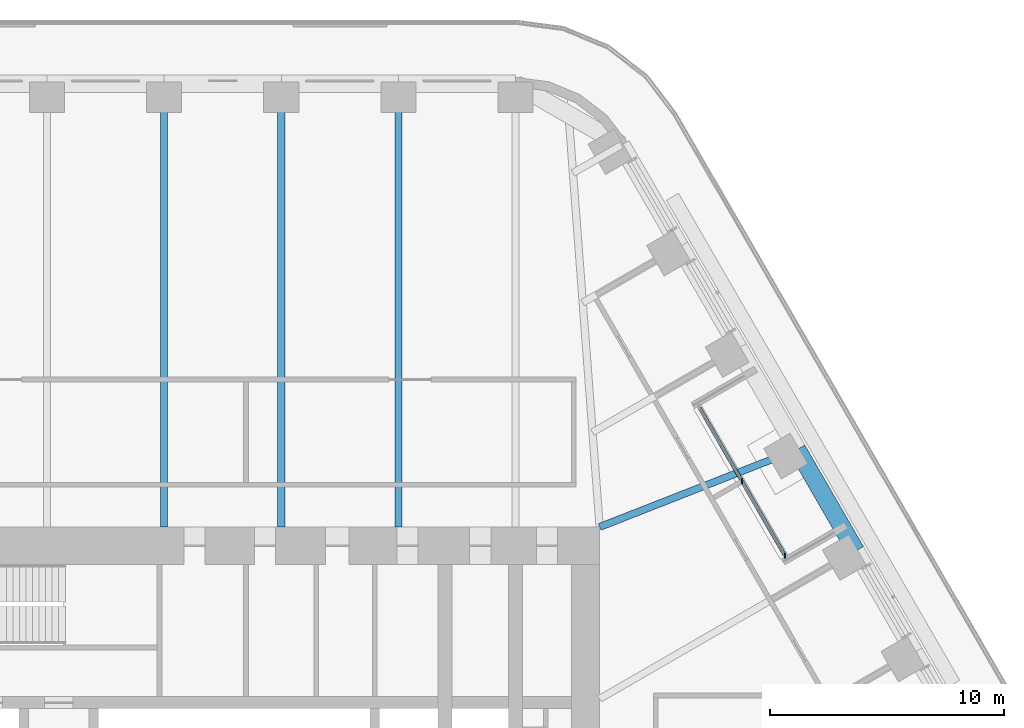
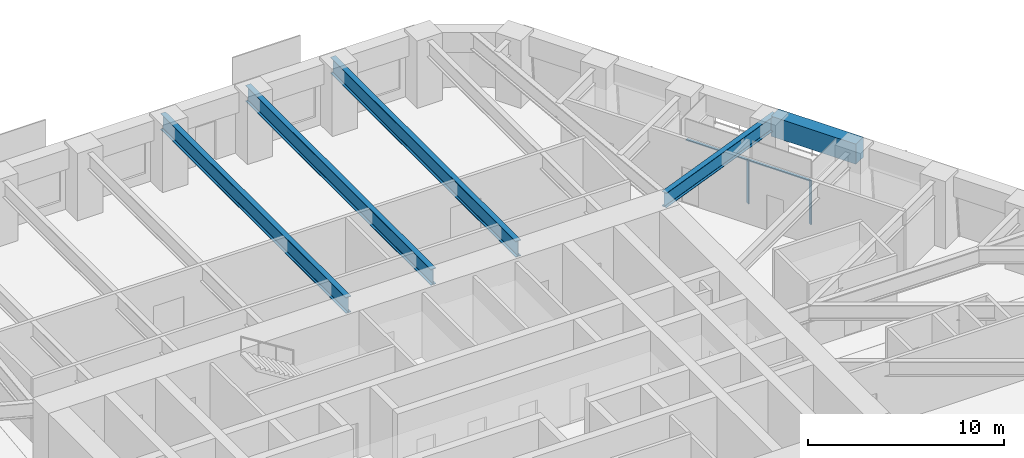
# One storey, part 11 of 24: 5 beams, 3 members, 1 element without a shape of its own.
"""IFC4 building model written with IfcOpenShell, lengths in metres."""

import ifcopenshell
import ifcopenshell.guid

model = None  # the IFC model being written
_history = None  # IfcOwnerHistory: only IFC2X3 demands one
_inside = {}  # id of a spatial element -> (the spatial element, [elements in it])
_under = {}  # id of a project, library or spatial element -> (it, [spatial elements below it])
_declared = {}  # id of a project -> (the project, [libraries it declares])
_typed = {}  # id of a type object -> (the type object, [elements of that type])
_made_of = {}  # id of a material, layer set ... -> (it, [elements and type objects made of it])


def new_model(schema):
    """Start an empty IFC model of exactly this schema.

    Asked for "IFC4X3", IfcOpenShell would pick the latest addendum, in which some entities
    have other attributes; the version numbers below select the first issue.
    IFC2X3 requires an IfcOwnerHistory on every rooted entity: one is made here for all.
    """
    global model, _history
    if schema == "IFC4X3":
        model = ifcopenshell.file(schema_version=(4, 3, 0, 0))
    else:
        model = ifcopenshell.file(schema=schema)
    _inside.clear()
    _under.clear()
    _declared.clear()
    _typed.clear()
    _made_of.clear()
    _history = None
    if model.schema == "IFC2X3":
        org = make("IfcOrganization", Name="unknown")
        user = make(
            "IfcPersonAndOrganization",
            ThePerson=make("IfcPerson", FamilyName="unknown"),
            TheOrganization=org,
        )
        app = make(
            "IfcApplication",
            ApplicationDeveloper=org,
            Version="unknown",
            ApplicationFullName="unknown",
            ApplicationIdentifier="unknown",
        )
        _history = make(
            "IfcOwnerHistory",
            OwningUser=user,
            OwningApplication=app,
            ChangeAction="ADDED",
            CreationDate=0,
        )
    return model


def make(cls, **values):
    """One entity of the class cls with the attributes given. An attribute that is None is left unset."""
    return model.create_entity(
        cls, **{name: value for name, value in values.items() if value is not None}
    )


def rooted(cls, **values):
    """An entity with a GlobalId (a new one), such as an element, a storey or a relation."""
    return make(cls, GlobalId=ifcopenshell.guid.new(), OwnerHistory=_history, **values)


def si_unit(unit_type, name, prefix=None):
    """IfcSIUnit, for example si_unit("LENGTHUNIT", "METRE", prefix="MILLI")."""
    return make("IfcSIUnit", UnitType=unit_type, Prefix=prefix, Name=name)


def assignment(units):
    """IfcUnitAssignment: the units of a project."""
    return None if units is None else make("IfcUnitAssignment", Units=units)


def point(xyz):
    """IfcCartesianPoint."""
    return None if xyz is None else make("IfcCartesianPoint", Coordinates=xyz)


def direction(xyz):
    """IfcDirection."""
    return None if xyz is None else make("IfcDirection", DirectionRatios=xyz)


def frame(location, z_axis=None, x_axis=None):
    """IfcAxis2Placement3D, a coordinate frame: its origin and axes. An axis left out is left unset."""
    return make(
        "IfcAxis2Placement3D",
        Location=point(location),
        Axis=direction(z_axis),
        RefDirection=direction(x_axis),
    )


def frame_2d(location, x_axis=None):
    """IfcAxis2Placement2D, a coordinate frame in the plane: its origin and x axis."""
    return make(
        "IfcAxis2Placement2D", Location=point(location), RefDirection=direction(x_axis)
    )


def origin():
    """The frame at (0, 0, 0) with its axes left unset."""
    return frame((0.0, 0.0, 0.0))


def origin_2d():
    """The frame at (0, 0) in the plane with its x axis left unset."""
    return frame_2d((0.0, 0.0))


def place(relative_to, where):
    """IfcLocalPlacement: puts the frame where relative to a parent placement (None: the world)."""
    return make(
        "IfcLocalPlacement", PlacementRelTo=relative_to, RelativePlacement=where
    )


def context(
    kind, dimensions, precision=None, world=None, true_north=None, identifier=None
):
    """IfcGeometricRepresentationContext, for example the 3D "Model" context."""
    return make(
        "IfcGeometricRepresentationContext",
        ContextIdentifier=identifier,
        ContextType=kind,
        CoordinateSpaceDimension=dimensions,
        Precision=precision,
        WorldCoordinateSystem=world,
        TrueNorth=true_north,
    )


def subcontext(parent, identifier, kind, view, scale=None):
    """IfcGeometricRepresentationSubContext, for example "Body" below "Model"."""
    return make(
        "IfcGeometricRepresentationSubContext",
        ContextIdentifier=identifier,
        ContextType=kind,
        ParentContext=parent,
        TargetScale=scale,
        TargetView=view,
    )


def project(units=None, contexts=None):
    """IfcProject with its units and contexts."""
    return rooted(
        "IfcProject",
        Name="project",
        RepresentationContexts=contexts,
        UnitsInContext=assignment(units),
    )


def spatial(cls, under=None, at=None, **own):
    """A site, building, storey or space (cls), placed at a placement, below another one or the project."""
    s = rooted(cls, ObjectPlacement=at, **own)
    if under is not None:
        _under.setdefault(under.id(), (under, []))[1].append(s)
    return s


def profile(cls, at=None, kind="AREA", **sizes):
    """A parametric profile (cls). Its sizes go by their IFC names, for example OverallWidth=200.0."""
    return make(cls, ProfileType=kind, Position=at, **sizes)


def rectangle(**sizes):
    """IfcRectangleProfileDef."""
    return profile("IfcRectangleProfileDef", **sizes)


def i_section(**sizes):
    """IfcIShapeProfileDef."""
    return profile("IfcIShapeProfileDef", **sizes)


def extrude(swept, where, along, depth):
    """IfcExtrudedAreaSolid: the profile swept, set in the frame where, extruded along a direction by depth."""
    return make(
        "IfcExtrudedAreaSolid",
        SweptArea=swept,
        Position=where,
        ExtrudedDirection=direction(along),
        Depth=depth,
    )


def shape(context_of_items, identifier, shape_type, items):
    """IfcShapeRepresentation: the items that make up one representation, for example the "Body"."""
    return make(
        "IfcShapeRepresentation",
        ContextOfItems=context_of_items,
        RepresentationIdentifier=identifier,
        RepresentationType=shape_type,
        Items=items,
    )


def material(Name=None, Category=None):
    """IfcMaterial."""
    return make("IfcMaterial", Name=Name, Category=Category)


def material_profile(
    of_material, cross_section, Name=None, Category=None, Priority=None
):
    """IfcMaterialProfile: a cross section and its material."""
    return make(
        "IfcMaterialProfile",
        Name=Name,
        Material=of_material,
        Profile=cross_section,
        Priority=Priority,
        Category=Category,
    )


def profile_set(profiles, Name=None, composite=None):
    """IfcMaterialProfileSet."""
    return make(
        "IfcMaterialProfileSet",
        Name=Name,
        MaterialProfiles=profiles,
        CompositeProfile=composite,
    )


def made_of(thing, what):
    """Note that an element or type object is made of a material, layer set ...; save() writes the relation."""
    if what is not None:
        _made_of.setdefault(what.id(), (what, []))[1].append(thing)
    return thing


def type_object(cls, material=None, **own):
    """A type object (cls), such as IfcWallType, which elements share."""
    return made_of(rooted(cls, **own), material)


def element(
    cls,
    number,
    at=None,
    inside=None,
    cuts=None,
    type_object=None,
    material=None,
    context=None,
    identifier="Body",
    shape_type=None,
    held_by="IfcProductDefinitionShape",
    body=None,
    shapes=None,
    **own,
):
    """One element of the class cls, such as IfcWall. Its Tag is "e" and its number.

    at: its placement. inside: the storey or other place that contains it. cuts: it is an
    opening in that element (IfcRelVoidsElement). A single representation is given by context,
    identifier, shape_type and body (its items); several are given by shapes. held_by: the class
    of the entity that holds the representations. save() writes the other relations.
    """
    e = rooted(cls, Tag="e%d" % number, ObjectPlacement=at, **own)
    if body is not None:
        shapes = [shape(context, identifier, shape_type, body)]
    if shapes is not None:
        e.Representation = make(held_by, Representations=shapes)
    if inside is not None:
        _inside.setdefault(inside.id(), (inside, []))[1].append(e)
    if cuts is not None:
        rooted(
            "IfcRelVoidsElement", RelatingBuildingElement=cuts, RelatedOpeningElement=e
        )
    if type_object is not None:
        _typed.setdefault(type_object.id(), (type_object, []))[1].append(e)
    return made_of(e, material)


def aggregate(whole, parts):
    """IfcRelAggregates: a whole, such as a stair, and the parts it consists of."""
    return rooted("IfcRelAggregates", RelatingObject=whole, RelatedObjects=parts)


def save(model, path):
    """Write the relations noted so far, then the file.

    IfcRelAggregates (storeys below a building ...), IfcRelContainedInSpatialStructure (elements
    in a storey), IfcRelDefinesByType, IfcRelAssociatesMaterial and IfcRelDeclares: one each for
    every whole, place, type object, material and project.
    """
    for whole, parts in _under.values():
        aggregate(whole, parts)
    for where, things in _inside.values():
        rooted(
            "IfcRelContainedInSpatialStructure",
            RelatedElements=things,
            RelatingStructure=where,
        )
    for kind, things in _typed.values():
        rooted("IfcRelDefinesByType", RelatedObjects=things, RelatingType=kind)
    for what, things in _made_of.values():
        rooted("IfcRelAssociatesMaterial", RelatedObjects=things, RelatingMaterial=what)
    for by, libraries in _declared.values():
        rooted("IfcRelDeclares", RelatingContext=by, RelatedDefinitions=libraries)
    model.write(path)


model = new_model("IFC4")

# Units and contexts
model_context = context("Model", 3, precision=1e-05, world=origin(), true_north=direction((0.0, 1.0)))
body_context = subcontext(model_context, "Body", "Model", "MODEL_VIEW")
ifc_project = project(units=[si_unit("LENGTHUNIT", "METRE"), si_unit("AREAUNIT", "SQUARE_METRE"), si_unit("VOLUMEUNIT", "CUBIC_METRE"), si_unit("PLANEANGLEUNIT", "RADIAN"), si_unit("MASSUNIT", "GRAM", prefix="KILO")], contexts=[model_context])

# Site, building, storey
site_placement = place(None, origin())
site = spatial("IfcSite", under=ifc_project, at=site_placement, CompositionType="ELEMENT")
building_placement = place(site_placement, origin())
building = spatial("IfcBuilding", under=site, at=building_placement, Name="Tarfa Lantern Tower", CompositionType="ELEMENT")
storey_placement = place(building_placement, frame((0.0, 0.0, 195.10009765625)))
storey = spatial("IfcBuildingStorey", under=building, at=storey_placement, Name="L44", CompositionType="ELEMENT", Elevation=195.10009765625)

# Curtain wall, members
ifc_material_1 = material(Name="Aluminium framed curtain wall", Category="aluminium")
curtain_wall_type = type_object("IfcCurtainWallType", Name="CW10 LOGGIA GLAZING 2750", PredefinedType="USERDEFINED", material=ifc_material_1)
curtain_wall_placement = place(storey_placement, origin())
curtain_wall = element("IfcCurtainWall", 1, at=curtain_wall_placement, inside=storey, type_object=curtain_wall_type, Name="CW10 NEL L44", ObjectType="CURTAIN WALL", PredefinedType="USERDEFINED")
ifc_material_2 = material(Name="Aluminium mullion", Category="aluminium")
ifc_material_profile_1 = material_profile(ifc_material_2, rectangle(XDim=0.06494140625, YDim=0.199951171875, at=origin_2d()), Name="AL MULLION 65x200")
ifc_profile_set_1 = profile_set([ifc_material_profile_1], Name="Aluminium mullion")
member_type_1 = type_object("IfcMemberType", Name="CWM1 MULLION 65x200", PredefinedType="MULLION", material=ifc_profile_set_1)
member_1_placement = place(storey_placement, frame((26.517333984375, 11.070556640625, 0.0), z_axis=(0.0, 0.0, 1.0), x_axis=(1.0, 0.0, 0.0)))
member_1 = element("IfcMember", 2, at=member_1_placement, type_object=member_type_1, Name="CW10 mullion 1", PredefinedType="MULLION", context=body_context, shape_type="SweptSolid", body=[
    extrude(rectangle(XDim=0.06494140625, YDim=0.199951171875, at=origin_2d()), origin(), (0.0, 0.0, 1.0), 2.75),
])
member_2_placement = place(storey_placement, frame((24.681640625, 14.25, 0.0), z_axis=(0.0, 0.0, 1.0), x_axis=(1.0, 0.0, 0.0)))
member_2 = element("IfcMember", 3, at=member_2_placement, type_object=member_type_1, Name="CW10 mullion 2", PredefinedType="MULLION", context=body_context, shape_type="SweptSolid", body=[
    extrude(rectangle(XDim=0.06494140625, YDim=0.199951171875, at=origin_2d()), origin(), (0.0, 0.0, 1.0), 2.75),
])
ifc_material_3 = material(Name="Aluminium transom", Category="aluminium")
ifc_material_profile_2 = material_profile(ifc_material_3, rectangle(XDim=0.14990234375, YDim=0.06494140625, at=origin_2d()), Name="AL TRANSOM 150x65")
ifc_profile_set_2 = profile_set([ifc_material_profile_2], Name="Aluminium transom")
member_type_2 = type_object("IfcMemberType", Name="CWT1 TRANSOM 150x65", PredefinedType="USERDEFINED", material=ifc_profile_set_2)
member_3_placement = place(storey_placement, frame((26.5009765625, 11.098876953125, 2.71728515625), z_axis=(-0.500007048974, 0.866021334019, 0.0), x_axis=(-0.866021334019, -0.500007048974, 0.0)))
member_3 = element("IfcMember", 4, at=member_3_placement, type_object=member_type_2, Name="CW10 transom 1.2", ObjectType="TRANSOM", PredefinedType="USERDEFINED", context=body_context, shape_type="SweptSolid", body=[
    extrude(rectangle(XDim=0.14990234375, YDim=0.06494140625, at=origin_2d()), origin(), (0.0, 0.0, 1.0), 7.27734375),
])
aggregate(curtain_wall, [member_1, member_2, member_3])

# Beams
ifc_material_4 = material(Name="Concrete C80/95", Category="concrete")
ifc_material_profile_3 = material_profile(ifc_material_4, rectangle(XDim=0.75, YDim=1.25, at=origin_2d()), Name="RC 750x1250")
ifc_profile_set_3 = profile_set([ifc_material_profile_3], Name="Concrete C80/95")
beam_type_1 = type_object("IfcBeamType", Name="EB2 RC 750x1250", PredefinedType="SPANDREL", material=ifc_profile_set_3)
beam_1_placement = place(storey_placement, frame((29.5390625, 11.276611328125, 3.375), z_axis=(-0.499964603504, 0.866045838996, 0.0), x_axis=(-0.866045838996, -0.499964603504, 0.0)))
element("IfcBeam", 5, at=beam_1_placement, inside=storey, type_object=beam_type_1, Name="Edge beam NE2", PredefinedType="SPANDREL", context=body_context, shape_type="SweptSolid", body=[
    extrude(rectangle(XDim=0.75, YDim=1.25, at=origin_2d()), origin(), (0.0, 0.0, 1.0), 5.003662109375),
])
ifc_material_5 = material(Name="Steel S460M", Category="steel")
ifc_material_profile_4 = material_profile(ifc_material_5, i_section(OverallWidth=0.302001953125, OverallDepth=1.008056640625, WebThickness=0.02099609375, FlangeThickness=0.0400390625, FilletRadius=0.030029296875, at=origin_2d()), Name="UB1016x305x349")
ifc_profile_set_4 = profile_set([ifc_material_profile_4], Name="Steel S460M")
beam_type_2 = type_object("IfcBeamType", Name="UB1016x305x349", PredefinedType="BEAM", material=ifc_profile_set_4)
for number, where, z_axis, x_axis, name in (
    (6, (10.00732421875, 31.219970703125, 3.495849609375), (0.0, -1.0, 0.0), (1.0, 0.0, 0.0), "Floor beam N1"),
    (7, (5.003662109375, 31.219970703125, 3.495849609375), (0.0, -1.0, 0.0), (1.0, 0.0, 0.0), "Floor beam N2"),
    (8, (0.0, 31.219970703125, 3.495849609375), (0.0, -1.0, 0.0), (1.0, 0.0, 0.0), "Floor beam N3"),
):
    element("IfcBeam", number, at=place(storey_placement, frame(where, z_axis=z_axis, x_axis=x_axis)), inside=storey, type_object=beam_type_2, Name=name, PredefinedType="BEAM", context=body_context, shape_type="SweptSolid", body=[
        extrude(i_section(OverallWidth=0.302001953125, OverallDepth=1.008056640625, WebThickness=0.02099609375, FlangeThickness=0.0400390625, FilletRadius=0.030029296875, at=origin_2d()), origin(), (0.0, 0.0, 1.0), 18.919921875),
    ])
ifc_material_profile_5 = material_profile(ifc_material_5, i_section(OverallWidth=0.305419921875, OverallDepth=0.91845703125, WebThickness=0.017333984375, FlangeThickness=0.02783203125, FilletRadius=0.01904296875, at=origin_2d()), Name="UB914x305x253")
ifc_profile_set_5 = profile_set([ifc_material_profile_5], Name="Steel S460M")
beam_type_3 = type_object("IfcBeamType", Name="UB914x305x253", PredefinedType="BEAM", material=ifc_profile_set_5)
beam_2_placement = place(storey_placement, frame((27.037353515625, 15.610107421875, 3.540771484375), z_axis=(-0.930923282782, -0.365214788274, 0.0), x_axis=(0.365214788274, -0.930923282782, 0.0)))
element("IfcBeam", 9, at=beam_2_placement, inside=storey, type_object=beam_type_3, Name="Floor beam NE3", PredefinedType="BEAM", context=body_context, shape_type="SweptSolid", body=[
    extrude(i_section(OverallWidth=0.305419921875, OverallDepth=0.91845703125, WebThickness=0.017333984375, FlangeThickness=0.02783203125, FilletRadius=0.01904296875, at=origin_2d()), origin(), (0.0, 0.0, 1.0), 9.063232421875),
])

save(model, "model.ifc")
